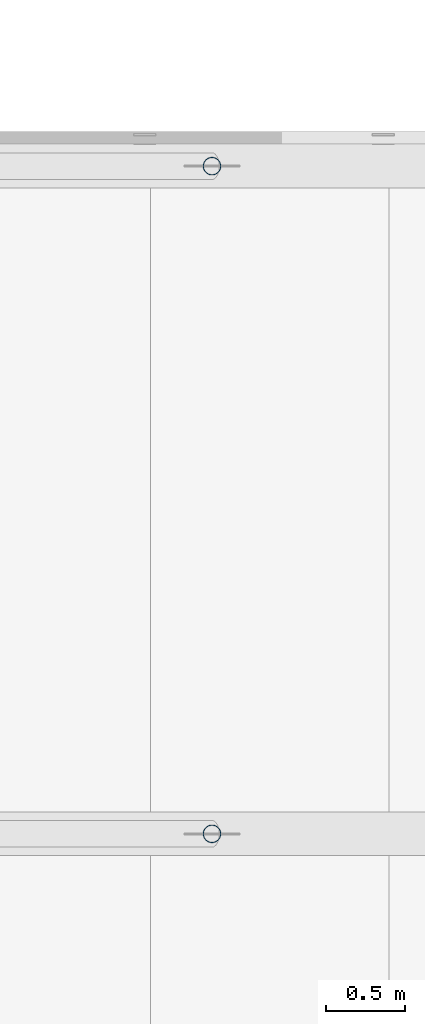
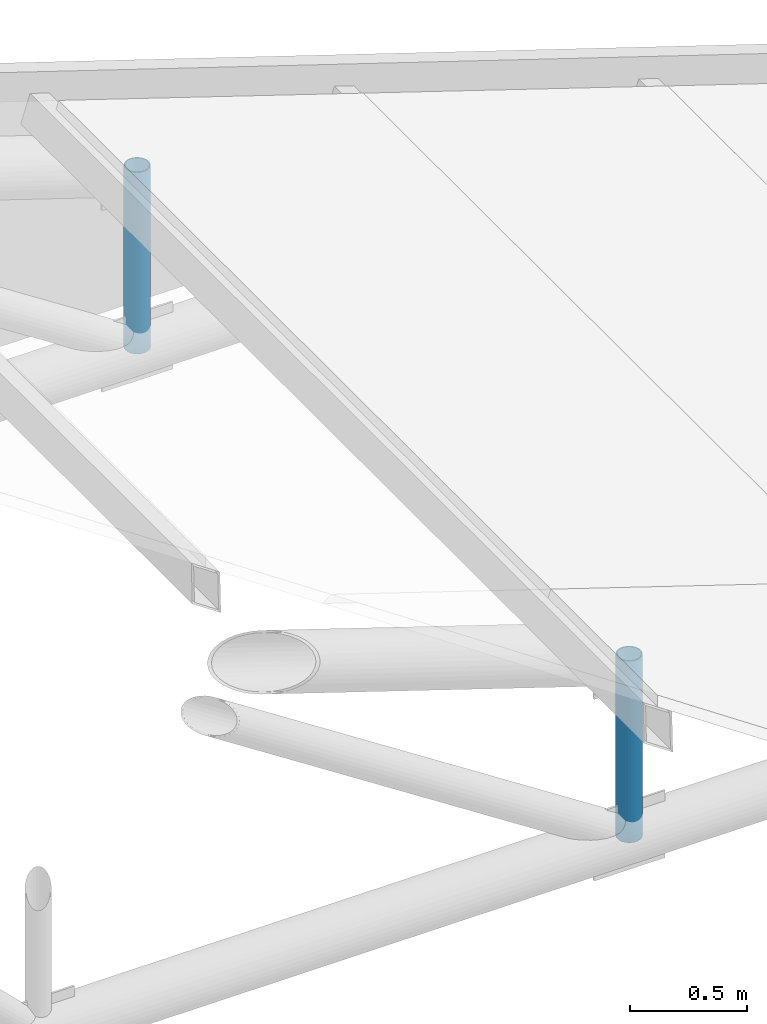
# One storey, part 67 of 95: 2 members.
"""IFC4 building model written with IfcOpenShell, lengths in metres."""

from ifc_helpers import new_model, si_unit, direction, frame, origin, origin_2d, place, context, subcontext, project, spatial, hollow_circle, extrude, material, material_profile, profile_set, type_object, element, save


model = new_model("IFC4")

# Units and contexts
model_context = context("Model", 3, precision=1e-05, world=origin(), true_north=direction((0.0, 1.0)))
body_context = subcontext(model_context, "Body", "Model", "MODEL_VIEW")
ifc_project = project(units=[si_unit("LENGTHUNIT", "METRE"), si_unit("AREAUNIT", "SQUARE_METRE"), si_unit("VOLUMEUNIT", "CUBIC_METRE"), si_unit("PLANEANGLEUNIT", "RADIAN"), si_unit("MASSUNIT", "GRAM", prefix="KILO")], contexts=[model_context])

# Site, building, storey
site_placement = place(None, origin())
site = spatial("IfcSite", under=ifc_project, at=site_placement, CompositionType="ELEMENT")
building_placement = place(site_placement, origin())
building = spatial("IfcBuilding", under=site, at=building_placement, Name="Kiln Court Media Centre", CompositionType="ELEMENT")
storey_placement = place(building_placement, frame((0.0, 0.0, 24.60009765625)))
storey = spatial("IfcBuildingStorey", under=building, at=storey_placement, Name="L05", CompositionType="ELEMENT", Elevation=24.60009765625)

# Members
ifc_material = material(Name="Steel ASTM A500 Gr C", Category="steel")
ifc_material_profile = material_profile(ifc_material, hollow_circle(Radius=0.05712890625, WallThickness=0.0048828125, at=origin_2d()), Name="CHS 114.3x5.0")
ifc_profile_set = profile_set([ifc_material_profile], Name="Steel ASTM A500 Gr C")
member_type = type_object("IfcMemberType", Name="Steel ASTM A500 Gr C CHS 114.3x5.0 truss web", PredefinedType="BRACE", material=ifc_profile_set)
for number, where, z_axis, x_axis, name in (
    (1, (55.137451171875, 63.0, -0.013916015625), (0.0, 0.0, 1.0), (1.0, 0.0, 0.0), "foyer truss FT-10 post 7 truss web"),
    (2, (55.137451171875, 67.199951171875, -0.013916015625), (0.0, 0.0, 1.0), (1.0, 0.0, 0.0), "foyer truss FT-11 post 7 truss web"),
):
    element("IfcMember", number, at=place(storey_placement, frame(where, z_axis=z_axis, x_axis=x_axis)), inside=storey, type_object=member_type, Name=name, PredefinedType="BRACE", context=body_context, shape_type="SweptSolid", body=[
        extrude(hollow_circle(Radius=0.05712890625, WallThickness=0.0048828125, at=origin_2d()), origin(), (0.0, 0.0, 1.0), 0.946533203125),
    ])

save(model, "model.ifc")
